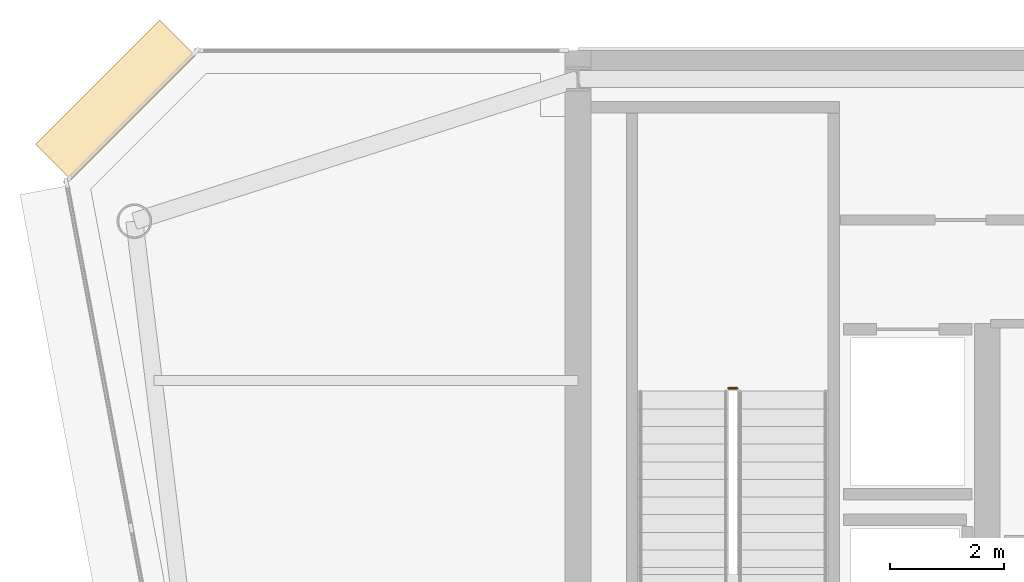
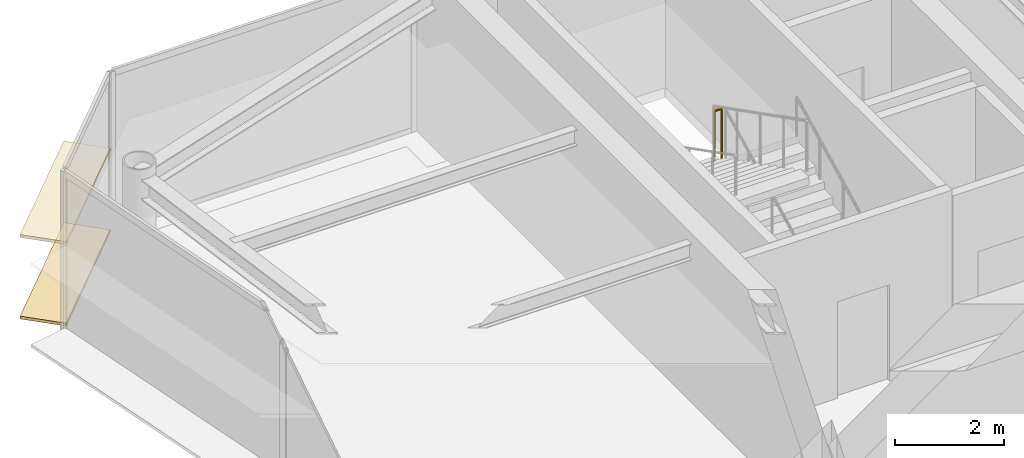
# One storey, part 18 of 20: 2 coverings, 1 railing.
"""IFC4 building model written with IfcOpenShell, lengths in metres."""

from ifc_helpers import new_model, si_unit, direction, frame, origin, origin_2d, place, context, subcontext, project, spatial, rectangle, circle, extrude, source, transform, mapped, material, layer, layer_set, type_object, element, save


model = new_model("IFC4")

# Units and contexts
model_context = context("Model", 3, precision=1e-05, world=origin(), true_north=direction((0.0, 1.0)))
body_context = subcontext(model_context, "Body", "Model", "MODEL_VIEW")
ifc_project = project(units=[si_unit("LENGTHUNIT", "METRE"), si_unit("AREAUNIT", "SQUARE_METRE"), si_unit("VOLUMEUNIT", "CUBIC_METRE"), si_unit("PLANEANGLEUNIT", "RADIAN"), si_unit("MASSUNIT", "GRAM", prefix="KILO")], contexts=[model_context])

# Site, building, storey
site_placement = place(None, origin())
site = spatial("IfcSite", under=ifc_project, at=site_placement, CompositionType="ELEMENT")
building_placement = place(site_placement, origin())
building = spatial("IfcBuilding", under=site, at=building_placement, Name="Vaeldorn Concourse Tower", CompositionType="ELEMENT")
storey_placement = place(building_placement, frame((0.0, 0.0, 295.39990234375)))
storey = spatial("IfcBuildingStorey", under=building, at=storey_placement, Name="L76", CompositionType="ELEMENT", Elevation=295.39990234375)

# Railing
ifc_material = material(Name="Anodised Bronze Aluminium", Category="aluminium")
railing_type = type_object("IfcRailingType", Name="RL-STAIR-GUARD", PredefinedType="GUARDRAIL", material=ifc_material)
railing_placement = place(storey_placement, frame((16.800048828125, 45.06005859375, 1.900146484375)))
element("IfcRailing", 1, at=railing_placement, inside=storey, type_object=railing_type, Name="L76 ST-1 stair guard 2", PredefinedType="GUARDRAIL", context=body_context, shape_type="SweptSolid", body=[
    extrude(circle(Radius=0.02392578125, at=origin_2d()), frame((0.0, 0.0, 1.1259765625), z_axis=(-1.0, 0.0, 0.0), x_axis=(0.0, -1.0, 0.0)), (0.0, 0.0, 1.0), 0.150146484375),
    extrude(circle(Radius=0.02099609375, at=origin_2d()), origin(), (0.0, 0.0, 1.0), 1.101806640625),
    extrude(circle(Radius=0.02099609375, at=origin_2d()), frame((-0.150146484375, 0.0, 0.0)), (0.0, 0.0, 1.0), 1.101806640625),
])

# Coverings
ifc_layer = layer(ifc_material, 0.06494140625)
ifc_layer_set = layer_set([ifc_layer], Name="Anodised Bronze Aluminium")
covering_type = type_object("IfcCoveringType", Name="SD-BRONZE-SUNSHADE", PredefinedType="USERDEFINED", material=ifc_layer_set)
shared_shape = source(origin(), body_context, "Body", "SweptSolid", [
    extrude(rectangle(XDim=3.0927734375, YDim=0.8798828125, at=origin_2d()), origin(), (0.0, 0.0, 1.0), 0.06494140625),
])
for number, where, z_axis, x_axis, name in (
    (2, (5.8671875, 50.1328125, 0.047607421875), (0.0, 0.0, 1.0), (-0.707106781187, -0.707106781187, 0.0), "Horizontal Bronze Sunshade L76-E10.1.1"),
    (3, (5.8671875, 50.1328125, 1.86767578125), (0.0, 0.0, 1.0), (-0.707106781187, -0.707106781187, 0.0), "Horizontal Bronze Sunshade L76-E10.1.2"),
):
    element("IfcCovering", number, at=place(storey_placement, frame(where, z_axis=z_axis, x_axis=x_axis)), inside=storey, type_object=covering_type, Name=name, ObjectType="SUNSHADE", PredefinedType="USERDEFINED", context=body_context, shape_type="MappedRepresentation", body=[
        mapped(shared_shape, transform((0.0, 0.0, 0.0), scale=1.0)),
    ])

save(model, "model.ifc")
